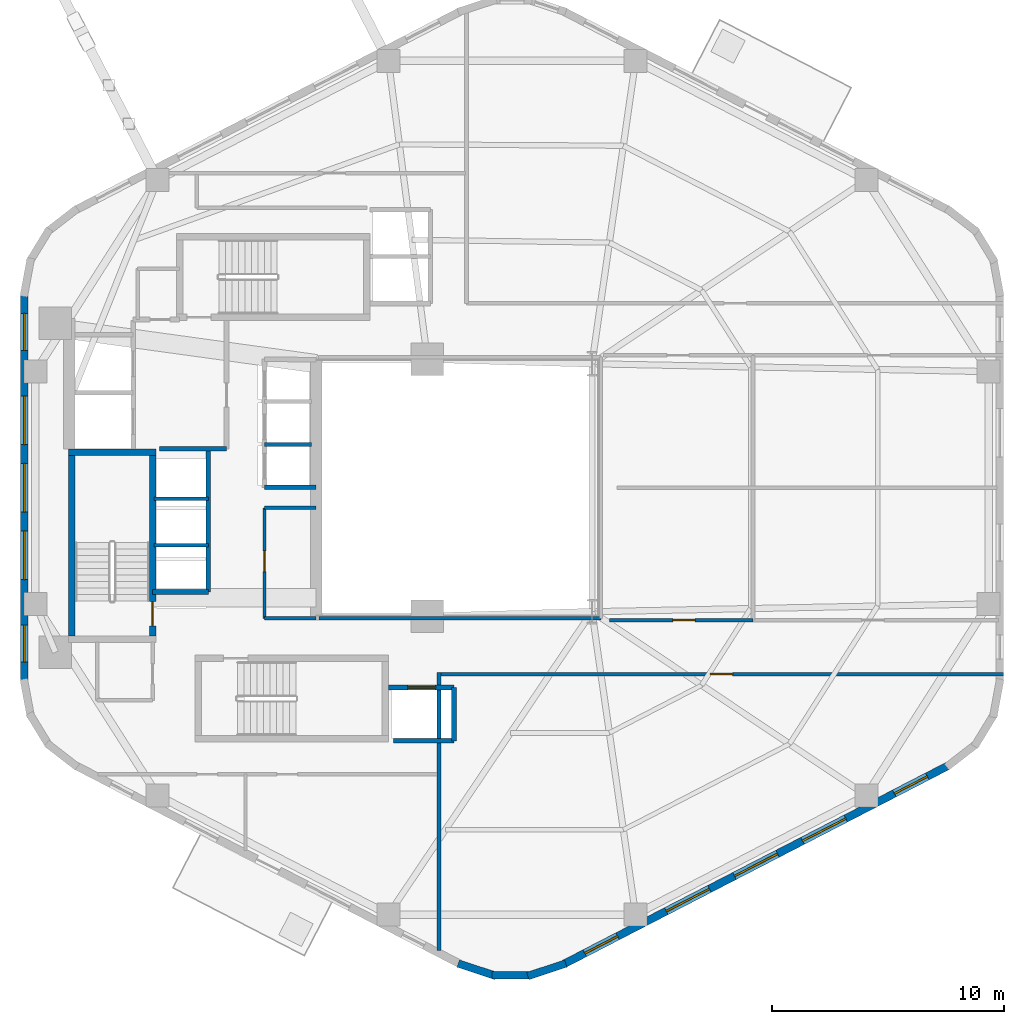
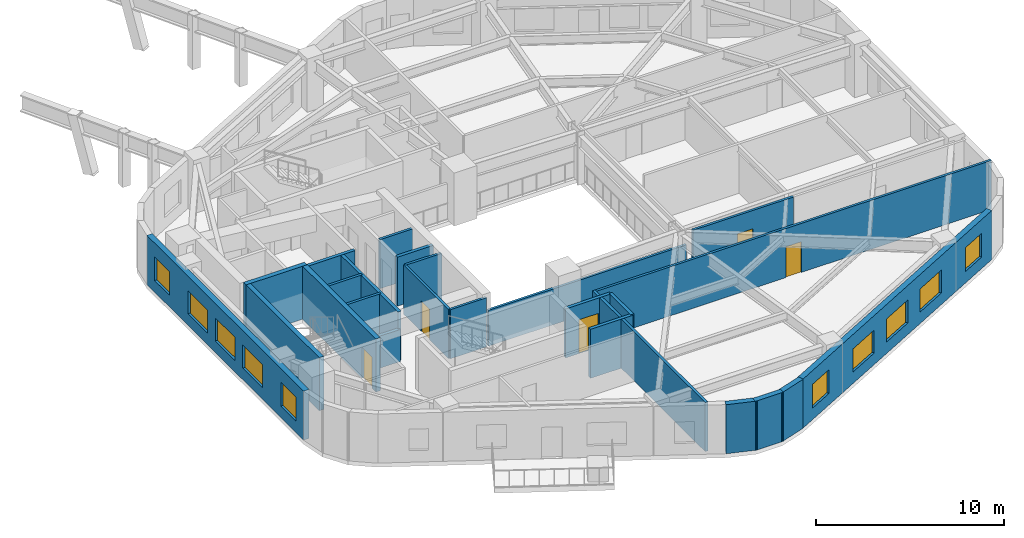
# One storey, part 3 of 8: 25 walls, 10 windows, 5 doors, 15 openings.
"""IFC4 building model written with IfcOpenShell, lengths in metres."""

from ifc_helpers import new_model, si_unit, direction, frame, frame_2d, origin, place, context, subcontext, project, spatial, rectangle, extrude, material, layer, layer_set, type_object, element, fill, save


model = new_model("IFC4")

# Units and contexts
model_context = context("Model", 3, precision=1e-05, world=origin(), true_north=direction((0.0, 1.0)))
body_context = subcontext(model_context, "Body", "Model", "MODEL_VIEW")
ifc_project = project(units=[si_unit("LENGTHUNIT", "METRE"), si_unit("AREAUNIT", "SQUARE_METRE"), si_unit("VOLUMEUNIT", "CUBIC_METRE"), si_unit("PLANEANGLEUNIT", "RADIAN"), si_unit("MASSUNIT", "GRAM", prefix="KILO"), si_unit("THERMODYNAMICTEMPERATUREUNIT", "KELVIN"), si_unit("POWERUNIT", "WATT")], contexts=[model_context])

# Site, building, storey
site_placement = place(None, origin())
site = spatial("IfcSite", under=ifc_project, at=site_placement, CompositionType="ELEMENT")
building_placement = place(site_placement, origin())
building = spatial("IfcBuilding", under=site, at=building_placement, Name="Skarre Station Tower", CompositionType="ELEMENT")
storey_placement = place(building_placement, frame((0.0, 0.0, 132.60009765625)))
storey = spatial("IfcBuildingStorey", under=building, at=storey_placement, Name="L35", CompositionType="ELEMENT", Elevation=132.60009765625)

# Wall, opening, door
ifc_material_1 = material(Name="Acoustic Steel-Stud Gypsum Partition", Category="steel")
ifc_layer_1 = layer(ifc_material_1, 0.14990234375, Name="Acoustic Steel-Stud Gypsum Partition")
ifc_layer_set_1 = layer_set([ifc_layer_1], Name="Acoustic Steel-Stud Gypsum Partition")
wall_type_1 = type_object("IfcWallType", Name="Fire-Rated Corridor Acoustic Partition 150", PredefinedType="PARTITIONING", material=ifc_layer_set_1)
wall_1_placement = place(storey_placement, frame((25.320068359375, 23.1298828125, 0.0), z_axis=(0.0, 0.0, 1.0), x_axis=(0.0, -1.0, 0.0)))
wall_1 = element("IfcWall", 1, at=wall_1_placement, inside=storey, type_object=wall_type_1, Name="L35 Interior Partition WL-PT-L35-RC1-W1", PredefinedType="PARTITIONING", context=body_context, shape_type="SweptSolid", body=[
    extrude(rectangle(XDim=4.769775390625, YDim=0.14990234375, at=frame_2d((2.384765625, 0.0))), origin(), (0.0, 0.0, 1.0), 3.18994140625),
])
opening_1_placement = place(wall_1_placement, frame((1.85009765625, 0.0, 0.0)))
opening_1 = element("IfcOpeningElement", 2, at=opening_1_placement, cuts=wall_1, Name="Opening DR-SVC90", PredefinedType="OPENING", context=body_context, shape_type="SweptSolid", body=[
    extrude(rectangle(XDim=0.89990234375, YDim=2.0, at=frame_2d((0.449951171875, 1.0))), frame((0.0, 0.0849609375, 0.0), z_axis=(0.0, -1.0, 0.0), x_axis=(1.0, 0.0, 0.0)), (0.0, 0.0, 1.0), 0.169921875),
])
ifc_material_2 = material(Name="Powder-Coated Hollow-Metal Acoustic Fire Leaf", Category="steel")
door_type_1 = type_object("IfcDoorType", Name="Service & Riser Fire Door FD60 900x2100", OperationType="SINGLE_SWING_LEFT", PredefinedType="DOOR", material=ifc_material_2)
door_1_placement = place(opening_1_placement, origin())
door_1 = element("IfcDoor", 3, at=door_1_placement, inside=storey, type_object=door_type_1, Name="L35 Core IT Room Door", OperationType="SINGLE_SWING_LEFT", OverallHeight=2.0, OverallWidth=0.89990234375, PredefinedType="DOOR", context=body_context, shape_type="SweptSolid", body=[
    extrude(rectangle(XDim=0.89990234375, YDim=2.0, at=frame_2d((0.449951171875, 1.0))), frame((0.0, 0.02490234375, 0.0), z_axis=(0.0, -1.0, 0.0), x_axis=(1.0, 0.0, 0.0)), (0.0, 0.0, 1.0), 0.050048828125),
])
fill(opening_1, door_1)

# Walls
for number, where, z_axis, x_axis, name in (
    (4, (25.320068359375, 23.1298828125, 0.0), (0.0, 0.0, 1.0), (1.0, 0.0, 0.0), "L35 Interior Partition WL-PT-L35-RC1-N3"),
    (5, (25.320068359375, 18.360107421875, 0.0), (0.0, 0.0, 1.0), (1.0, 0.0, 0.0), "L35 Interior Partition WL-PT-L35-RC1-S"),
):
    element("IfcWall", number, at=place(storey_placement, frame(where, z_axis=z_axis, x_axis=x_axis)), inside=storey, type_object=wall_type_1, Name=name, PredefinedType="PARTITIONING", context=body_context, shape_type="SweptSolid", body=[
        extrude(rectangle(XDim=2.22998046875, YDim=0.14990234375, at=frame_2d((1.114990234375, 0.0))), origin(), (0.0, 0.0, 1.0), 3.18994140625),
    ])
wall_2_placement = place(storey_placement, frame((27.675048828125, 18.360107421875, 0.0), z_axis=(0.0, 0.0, 1.0), x_axis=(1.0, 0.0, 0.0)))
element("IfcWall", 6, at=wall_2_placement, inside=storey, type_object=wall_type_1, Name="L35 Interior Partition WL-PT-L35-ATRW-S", PredefinedType="PARTITIONING", context=body_context, shape_type="SweptSolid", body=[
    extrude(rectangle(XDim=12.1650390625, YDim=0.14990234375, at=frame_2d((6.08251953125, 0.0))), origin(), (0.0, 0.0, 1.0), 2.330810546875),
])

# Wall, opening, door
wall_3_placement = place(storey_placement, frame((46.39306640625, 18.2900390625, 0.0), z_axis=(0.0, 0.0, 1.0), x_axis=(-1.0, 0.0, 0.0)))
wall_3 = element("IfcWall", 7, at=wall_3_placement, inside=storey, type_object=wall_type_1, Name="L35 Interior Partition WL-PT-L35-EWS1-CW", PredefinedType="PARTITIONING", context=body_context, shape_type="SweptSolid", body=[
    extrude(rectangle(XDim=6.193115234375, YDim=0.14990234375, at=frame_2d((3.0966796875, 0.0))), origin(), (0.0, 0.0, 1.0), 3.18994140625),
])
opening_2_placement = place(wall_3_placement, frame((2.49609375, 0.0, 0.0)))
opening_2 = element("IfcOpeningElement", 8, at=opening_2_placement, cuts=wall_3, Name="Opening DR-FD60", PredefinedType="OPENING", context=body_context, shape_type="SweptSolid", body=[
    extrude(rectangle(XDim=0.9599609375, YDim=2.0, at=frame_2d((0.47998046875, 1.0))), frame((0.0, 0.0849609375, 0.0), z_axis=(0.0, -1.0, 0.0), x_axis=(1.0, 0.0, 0.0)), (0.0, 0.0, 1.0), 0.169921875),
])
ifc_material_3 = material(Name="Nordic White-Oak Veneer Solid-Core Fire Leaf", Category="wood")
door_type_2 = type_object("IfcDoorType", Name="Corridor Suite Entry Fire Door FD60 960x2150", OperationType="SINGLE_SWING_LEFT", PredefinedType="DOOR", material=ifc_material_3)
door_2_placement = place(opening_2_placement, origin())
door_2 = element("IfcDoor", 9, at=door_2_placement, inside=storey, type_object=door_type_2, Name="L35 EWS1 Entry Door", OperationType="SINGLE_SWING_LEFT", OverallHeight=2.0, OverallWidth=0.9599609375, PredefinedType="DOOR", context=body_context, shape_type="SweptSolid", body=[
    extrude(rectangle(XDim=0.9599609375, YDim=2.0, at=frame_2d((0.47998046875, 1.0))), frame((0.0, 0.02490234375, 0.0), z_axis=(0.0, -1.0, 0.0), x_axis=(1.0, 0.0, 0.0)), (0.0, 0.0, 1.0), 0.050048828125),
])
fill(opening_2, door_2)

wall_4_placement = place(storey_placement, frame((32.85009765625, 15.9599609375, 0.0), z_axis=(0.0, 0.0, 1.0), x_axis=(1.0, 0.0, 0.0)))
wall_4 = element("IfcWall", 10, at=wall_4_placement, inside=storey, type_object=wall_type_1, Name="L35 Interior Partition WL-PT-L35-SW1-CW", PredefinedType="PARTITIONING", context=body_context, shape_type="SweptSolid", body=[
    extrude(rectangle(XDim=24.35791015625, YDim=0.14990234375, at=frame_2d((12.178955078125, 0.0))), origin(), (0.0, 0.0, 1.0), 3.18994140625),
])
opening_3_placement = place(wall_4_placement, frame((11.712890625, 0.0, 0.0)))
opening_3 = element("IfcOpeningElement", 11, at=opening_3_placement, cuts=wall_4, Name="Opening DR-FD60", PredefinedType="OPENING", context=body_context, shape_type="SweptSolid", body=[
    extrude(rectangle(XDim=0.9599609375, YDim=2.0, at=frame_2d((0.47998046875, 1.0))), frame((0.0, 0.0849609375, 0.0), z_axis=(0.0, -1.0, 0.0), x_axis=(1.0, 0.0, 0.0)), (0.0, 0.0, 1.0), 0.169921875),
])
door_3_placement = place(opening_3_placement, origin())
door_3 = element("IfcDoor", 12, at=door_3_placement, inside=storey, type_object=door_type_2, Name="L35 SW1 Entry Door", OperationType="SINGLE_SWING_LEFT", OverallHeight=2.0, OverallWidth=0.9599609375, PredefinedType="DOOR", context=body_context, shape_type="SweptSolid", body=[
    extrude(rectangle(XDim=0.9599609375, YDim=2.0, at=frame_2d((0.47998046875, 1.0))), frame((0.0, 0.02490234375, 0.0), z_axis=(0.0, -1.0, 0.0), x_axis=(1.0, 0.0, 0.0)), (0.0, 0.0, 1.0), 0.050048828125),
])
fill(opening_3, door_3)

# Wall, openings, windows
ifc_material_4 = material(Name="Precast concrete C45/55", Category="concrete")
ifc_layer_2 = layer(ifc_material_4, 0.340087890625, Name="Precast concrete C45/55")
ifc_layer_set_2 = layer_set([ifc_layer_2], Name="Precast concrete C45/55")
wall_type_2 = type_object("IfcWallType", Name="Nordic Honed Precast Facet Wall 340", PredefinedType="STANDARD", material=ifc_layer_set_2)
wall_5_placement = place(storey_placement, frame((14.951904296875, 15.64794921875, 0.0), z_axis=(0.0, 0.0, 1.0), x_axis=(0.0, 1.0, 0.0)))
wall_5 = element("IfcWall", 13, at=wall_5_placement, inside=storey, type_object=wall_type_2, Name="L35 Facet 2 Nordic Precast Masonry Wall", PredefinedType="STANDARD", context=body_context, shape_type="SweptSolid", body=[
    extrude(rectangle(XDim=16.7041015625, YDim=0.340087890625, at=frame_2d((8.35205078125, 0.0))), origin(), (0.0, 0.0, 1.0), 3.18994140625),
])
opening_4_placement = place(wall_5_placement, frame((0.825927734375, 0.0, 0.75)))
opening_4 = element("IfcOpeningElement", 14, at=opening_4_placement, cuts=wall_5, Name="Opening WN-Z2A", PredefinedType="OPENING", context=body_context, shape_type="SweptSolid", body=[
    extrude(rectangle(XDim=1.60009765625, YDim=1.550048828125, at=frame_2d((0.800048828125, 0.77490234375))), frame((0.0, 0.179931640625, 0.0), z_axis=(0.0, -1.0, 0.0), x_axis=(1.0, 0.0, 0.0)), (0.0, 0.0, 1.0), 0.360107421875),
])
opening_5_placement = place(wall_5_placement, frame((4.387939453125, 0.0, 0.75)))
opening_5 = element("IfcOpeningElement", 15, at=opening_5_placement, cuts=wall_5, Name="Opening WN-Z2B", PredefinedType="OPENING", context=body_context, shape_type="SweptSolid", body=[
    extrude(rectangle(XDim=2.10009765625, YDim=1.5, at=frame_2d((1.050048828125, 0.75))), frame((0.0, 0.179931640625, 0.0), z_axis=(0.0, -1.0, 0.0), x_axis=(1.0, 0.0, 0.0)), (0.0, 0.0, 1.0), 0.360107421875),
])
opening_6_placement = place(wall_5_placement, frame((7.302001953125, 0.0, 0.75)))
opening_6 = element("IfcOpeningElement", 16, at=opening_6_placement, cuts=wall_5, Name="Opening WN-Z2B", PredefinedType="OPENING", context=body_context, shape_type="SweptSolid", body=[
    extrude(rectangle(XDim=2.10009765625, YDim=1.5, at=frame_2d((1.050048828125, 0.75))), frame((0.0, 0.179931640625, 0.0), z_axis=(0.0, -1.0, 0.0), x_axis=(1.0, 0.0, 0.0)), (0.0, 0.0, 1.0), 0.360107421875),
])
opening_7_placement = place(wall_5_placement, frame((10.216064453125, 0.0, 0.75)))
opening_7 = element("IfcOpeningElement", 17, at=opening_7_placement, cuts=wall_5, Name="Opening WN-Z2B", PredefinedType="OPENING", context=body_context, shape_type="SweptSolid", body=[
    extrude(rectangle(XDim=2.10009765625, YDim=1.5, at=frame_2d((1.050048828125, 0.75))), frame((0.0, 0.179931640625, 0.0), z_axis=(0.0, -1.0, 0.0), x_axis=(1.0, 0.0, 0.0)), (0.0, 0.0, 1.0), 0.360107421875),
])
opening_8_placement = place(wall_5_placement, frame((14.278076171875, 0.0, 0.75)))
opening_8 = element("IfcOpeningElement", 18, at=opening_8_placement, cuts=wall_5, Name="Opening WN-Z2A", PredefinedType="OPENING", context=body_context, shape_type="SweptSolid", body=[
    extrude(rectangle(XDim=1.60009765625, YDim=1.550048828125, at=frame_2d((0.800048828125, 0.77490234375))), frame((0.0, 0.179931640625, 0.0), z_axis=(0.0, -1.0, 0.0), x_axis=(1.0, 0.0, 0.0)), (0.0, 0.0, 1.0), 0.360107421875),
])
ifc_material_5 = material(Name="Low-Iron Triple Glazing with Bronze Anodized Frame", Category="glass")
window_type_1 = type_object("IfcWindowType", Name="Nordic Residential Tall Window 1600x1550", PartitioningType="SINGLE_PANEL", PredefinedType="WINDOW", material=ifc_material_5)
window_1_placement = place(opening_4_placement, origin())
window_1 = element("IfcWindow", 19, at=window_1_placement, inside=storey, type_object=window_type_1, Name="L35 Facade Window WL-FAC-L35-F2-1", OverallHeight=1.550048828125, OverallWidth=1.60009765625, PartitioningType="SINGLE_PANEL", PredefinedType="WINDOW", context=body_context, shape_type="SweptSolid", body=[
    extrude(rectangle(XDim=1.60009765625, YDim=1.550048828125, at=frame_2d((0.800048828125, 0.77490234375))), frame((0.0, 0.030029296875, 0.0), z_axis=(0.0, -1.0, 0.0), x_axis=(1.0, 0.0, 0.0)), (0.0, 0.0, 1.0), 0.06005859375),
])
fill(opening_4, window_1)
window_2_placement = place(opening_8_placement, origin())
window_2 = element("IfcWindow", 20, at=window_2_placement, inside=storey, type_object=window_type_1, Name="L35 Facade Window WL-FAC-L35-F2-5", OverallHeight=1.550048828125, OverallWidth=1.60009765625, PartitioningType="SINGLE_PANEL", PredefinedType="WINDOW", context=body_context, shape_type="SweptSolid", body=[
    extrude(rectangle(XDim=1.60009765625, YDim=1.550048828125, at=frame_2d((0.800048828125, 0.77490234375))), frame((0.0, 0.030029296875, 0.0), z_axis=(0.0, -1.0, 0.0), x_axis=(1.0, 0.0, 0.0)), (0.0, 0.0, 1.0), 0.06005859375),
])
fill(opening_8, window_2)
window_type_2 = type_object("IfcWindowType", Name="Nordic Residential Twin Window 2100x1500", PartitioningType="SINGLE_PANEL", PredefinedType="WINDOW", material=ifc_material_5)
window_3_placement = place(opening_5_placement, origin())
window_3 = element("IfcWindow", 21, at=window_3_placement, inside=storey, type_object=window_type_2, Name="L35 Facade Window WL-FAC-L35-F2-2", OverallHeight=1.5, OverallWidth=2.10009765625, PartitioningType="SINGLE_PANEL", PredefinedType="WINDOW", context=body_context, shape_type="SweptSolid", body=[
    extrude(rectangle(XDim=2.10009765625, YDim=1.5, at=frame_2d((1.050048828125, 0.75))), frame((0.0, 0.030029296875, 0.0), z_axis=(0.0, -1.0, 0.0), x_axis=(1.0, 0.0, 0.0)), (0.0, 0.0, 1.0), 0.06005859375),
])
fill(opening_5, window_3)
window_4_placement = place(opening_6_placement, origin())
window_4 = element("IfcWindow", 22, at=window_4_placement, inside=storey, type_object=window_type_2, Name="L35 Facade Window WL-FAC-L35-F2-3", OverallHeight=1.5, OverallWidth=2.10009765625, PartitioningType="SINGLE_PANEL", PredefinedType="WINDOW", context=body_context, shape_type="SweptSolid", body=[
    extrude(rectangle(XDim=2.10009765625, YDim=1.5, at=frame_2d((1.050048828125, 0.75))), frame((0.0, 0.030029296875, 0.0), z_axis=(0.0, -1.0, 0.0), x_axis=(1.0, 0.0, 0.0)), (0.0, 0.0, 1.0), 0.06005859375),
])
fill(opening_6, window_4)
window_5_placement = place(opening_7_placement, origin())
window_5 = element("IfcWindow", 23, at=window_5_placement, inside=storey, type_object=window_type_2, Name="L35 Facade Window WL-FAC-L35-F2-4", OverallHeight=1.5, OverallWidth=2.10009765625, PartitioningType="SINGLE_PANEL", PredefinedType="WINDOW", context=body_context, shape_type="SweptSolid", body=[
    extrude(rectangle(XDim=2.10009765625, YDim=1.5, at=frame_2d((1.050048828125, 0.75))), frame((0.0, 0.030029296875, 0.0), z_axis=(0.0, -1.0, 0.0), x_axis=(1.0, 0.0, 0.0)), (0.0, 0.0, 1.0), 0.06005859375),
])
fill(opening_7, window_5)

wall_6_placement = place(storey_placement, frame((54.8310546875, 12.010009765625, 0.0), z_axis=(0.0, 0.0, 1.0), x_axis=(-0.888613612362, -0.458656568606, 0.0)))
wall_6 = element("IfcWall", 24, at=wall_6_placement, inside=storey, type_object=wall_type_2, Name="L35 Facet 4 Nordic Precast Masonry Wall", PredefinedType="STANDARD", context=body_context, shape_type="SweptSolid", body=[
    extrude(rectangle(XDim=18.680908203125, YDim=0.340087890625, at=frame_2d((9.34033203125, 0.0))), origin(), (0.0, 0.0, 1.0), 3.18994140625),
])
opening_9_placement = place(wall_6_placement, frame((1.02294921875, 0.0, 0.75)))
opening_9 = element("IfcOpeningElement", 25, at=opening_9_placement, cuts=wall_6, Name="Opening WN-Z2A", PredefinedType="OPENING", context=body_context, shape_type="SweptSolid", body=[
    extrude(rectangle(XDim=1.60009765625, YDim=1.550048828125, at=frame_2d((0.800048828125, 0.77490234375))), frame((0.0, 0.179931640625, 0.0), z_axis=(0.0, -1.0, 0.0), x_axis=(1.0, 0.0, 0.0)), (0.0, 0.0, 1.0), 0.360107421875),
])
opening_10_placement = place(wall_6_placement, frame((4.98095703125, 0.0, 0.75)))
opening_10 = element("IfcOpeningElement", 26, at=opening_10_placement, cuts=wall_6, Name="Opening WN-Z2B", PredefinedType="OPENING", context=body_context, shape_type="SweptSolid", body=[
    extrude(rectangle(XDim=2.10009765625, YDim=1.5, at=frame_2d((1.050048828125, 0.75))), frame((0.0, 0.179931640625, 0.0), z_axis=(0.0, -1.0, 0.0), x_axis=(1.0, 0.0, 0.0)), (0.0, 0.0, 1.0), 0.360107421875),
])
opening_11_placement = place(wall_6_placement, frame((8.2900390625, 0.0, 0.75)))
opening_11 = element("IfcOpeningElement", 27, at=opening_11_placement, cuts=wall_6, Name="Opening WN-Z2B", PredefinedType="OPENING", context=body_context, shape_type="SweptSolid", body=[
    extrude(rectangle(XDim=2.10009765625, YDim=1.5, at=frame_2d((1.050048828125, 0.75))), frame((0.0, 0.179931640625, 0.0), z_axis=(0.0, -1.0, 0.0), x_axis=(1.0, 0.0, 0.0)), (0.0, 0.0, 1.0), 0.360107421875),
])
opening_12_placement = place(wall_6_placement, frame((11.60009765625, 0.0, 0.75)))
opening_12 = element("IfcOpeningElement", 28, at=opening_12_placement, cuts=wall_6, Name="Opening WN-Z2B", PredefinedType="OPENING", context=body_context, shape_type="SweptSolid", body=[
    extrude(rectangle(XDim=2.10009765625, YDim=1.5, at=frame_2d((1.050048828125, 0.75))), frame((0.0, 0.179931640625, 0.0), z_axis=(0.0, -1.0, 0.0), x_axis=(1.0, 0.0, 0.0)), (0.0, 0.0, 1.0), 0.360107421875),
])
opening_13_placement = place(wall_6_placement, frame((16.05810546875, 0.0, 0.75)))
opening_13 = element("IfcOpeningElement", 29, at=opening_13_placement, cuts=wall_6, Name="Opening WN-Z2A", PredefinedType="OPENING", context=body_context, shape_type="SweptSolid", body=[
    extrude(rectangle(XDim=1.60009765625, YDim=1.550048828125, at=frame_2d((0.800048828125, 0.77490234375))), frame((0.0, 0.179931640625, 0.0), z_axis=(0.0, -1.0, 0.0), x_axis=(1.0, 0.0, 0.0)), (0.0, 0.0, 1.0), 0.360107421875),
])
window_6_placement = place(opening_9_placement, origin())
window_6 = element("IfcWindow", 30, at=window_6_placement, inside=storey, type_object=window_type_1, Name="L35 Facade Window WL-FAC-L35-F4-1", OverallHeight=1.550048828125, OverallWidth=1.60009765625, PartitioningType="SINGLE_PANEL", PredefinedType="WINDOW", context=body_context, shape_type="SweptSolid", body=[
    extrude(rectangle(XDim=1.60009765625, YDim=1.550048828125, at=frame_2d((0.800048828125, 0.77490234375))), frame((0.0, 0.030029296875, 0.0), z_axis=(0.0, -1.0, 0.0), x_axis=(1.0, 0.0, 0.0)), (0.0, 0.0, 1.0), 0.06005859375),
])
fill(opening_9, window_6)
window_7_placement = place(opening_13_placement, origin())
window_7 = element("IfcWindow", 31, at=window_7_placement, inside=storey, type_object=window_type_1, Name="L35 Facade Window WL-FAC-L35-F4-5", OverallHeight=1.550048828125, OverallWidth=1.60009765625, PartitioningType="SINGLE_PANEL", PredefinedType="WINDOW", context=body_context, shape_type="SweptSolid", body=[
    extrude(rectangle(XDim=1.60009765625, YDim=1.550048828125, at=frame_2d((0.800048828125, 0.77490234375))), frame((0.0, 0.030029296875, 0.0), z_axis=(0.0, -1.0, 0.0), x_axis=(1.0, 0.0, 0.0)), (0.0, 0.0, 1.0), 0.06005859375),
])
fill(opening_13, window_7)
window_8_placement = place(opening_10_placement, origin())
window_8 = element("IfcWindow", 32, at=window_8_placement, inside=storey, type_object=window_type_2, Name="L35 Facade Window WL-FAC-L35-F4-2", OverallHeight=1.5, OverallWidth=2.10009765625, PartitioningType="SINGLE_PANEL", PredefinedType="WINDOW", context=body_context, shape_type="SweptSolid", body=[
    extrude(rectangle(XDim=2.10009765625, YDim=1.5, at=frame_2d((1.050048828125, 0.75))), frame((0.0, 0.030029296875, 0.0), z_axis=(0.0, -1.0, 0.0), x_axis=(1.0, 0.0, 0.0)), (0.0, 0.0, 1.0), 0.06005859375),
])
fill(opening_10, window_8)
window_9_placement = place(opening_11_placement, origin())
window_9 = element("IfcWindow", 33, at=window_9_placement, inside=storey, type_object=window_type_2, Name="L35 Facade Window WL-FAC-L35-F4-3", OverallHeight=1.5, OverallWidth=2.10009765625, PartitioningType="SINGLE_PANEL", PredefinedType="WINDOW", context=body_context, shape_type="SweptSolid", body=[
    extrude(rectangle(XDim=2.10009765625, YDim=1.5, at=frame_2d((1.050048828125, 0.75))), frame((0.0, 0.030029296875, 0.0), z_axis=(0.0, -1.0, 0.0), x_axis=(1.0, 0.0, 0.0)), (0.0, 0.0, 1.0), 0.06005859375),
])
fill(opening_11, window_9)
window_10_placement = place(opening_12_placement, origin())
window_10 = element("IfcWindow", 34, at=window_10_placement, inside=storey, type_object=window_type_2, Name="L35 Facade Window WL-FAC-L35-F4-4", OverallHeight=1.5, OverallWidth=2.10009765625, PartitioningType="SINGLE_PANEL", PredefinedType="WINDOW", context=body_context, shape_type="SweptSolid", body=[
    extrude(rectangle(XDim=2.10009765625, YDim=1.5, at=frame_2d((1.050048828125, 0.75))), frame((0.0, 0.030029296875, 0.0), z_axis=(0.0, -1.0, 0.0), x_axis=(1.0, 0.0, 0.0)), (0.0, 0.0, 1.0), 0.06005859375),
])
fill(opening_12, window_10)

# Walls
ifc_layer_3 = layer(ifc_material_4, 0.330078125, Name="Precast concrete C45/55")
ifc_layer_set_3 = layer_set([ifc_layer_3], Name="Precast concrete C45/55")
wall_type_3 = type_object("IfcWallType", Name="Nordic Rounded Corner Precast Wall 330", PredefinedType="STANDARD", material=ifc_layer_set_3)
for number, where, z_axis, x_axis, name in (
    (35, (38.319091796875, 3.468017578125, 0.0), (0.0, 0.0, 1.0), (-0.949937416267, -0.312440242569, 0.0), "L35 Rounded Corner Precast Wall F4-1"),
    (36, (36.861083984375, 2.958984375, 0.0), (0.0, 0.0, 1.0), (-1.0, 0.0, 0.0), "L35 Rounded Corner Precast Wall F4-2"),
    (37, (35.31689453125, 2.929931640625, 0.0), (0.0, 0.0, 1.0), (-0.949937416267, 0.312440242569, 0.0), "L35 Rounded Corner Precast Wall F4-3"),
):
    element("IfcWall", number, at=place(storey_placement, frame(where, z_axis=z_axis, x_axis=x_axis)), inside=storey, type_object=wall_type_3, Name=name, PredefinedType="STANDARD", context=body_context, shape_type="SweptSolid", body=[
        extrude(rectangle(XDim=1.72216796875, YDim=0.330078125, at=frame_2d((0.861083984375, 0.0))), origin(), (0.0, 0.0, 1.0), 3.18994140625),
    ])
ifc_material_6 = material(Name="Concrete C50/60", Category="concrete")
ifc_layer_4 = layer(ifc_material_6, 0.280029296875, Name="Concrete C50/60")
ifc_layer_set_4 = layer_set([ifc_layer_4], Name="Concrete C50/60")
wall_type_4 = type_object("IfcWallType", Name="RC Core Shear Wall 280", PredefinedType="SHEAR", material=ifc_layer_set_4)
wall_7_placement = place(storey_placement, frame((20.6298828125, 25.5400390625, 0.0), z_axis=(0.0, 0.0, 1.0), x_axis=(-1.0, 0.0, 0.0)))
element("IfcWall", 38, at=wall_7_placement, inside=storey, type_object=wall_type_4, Name="L35 Stair ST-1 North Shear Wall", PredefinedType="SHEAR", context=body_context, shape_type="SweptSolid", body=[
    extrude(rectangle(XDim=3.759765625, YDim=0.280029296875, at=frame_2d((1.8798828125, 0.0))), origin(), (0.0, 0.0, 1.0), 3.449951171875),
])
wall_8_placement = place(storey_placement, frame((17.010009765625, 25.39990234375, 0.0), z_axis=(0.0, 0.0, 1.0), x_axis=(0.0, -1.0, 0.0)))
element("IfcWall", 39, at=wall_8_placement, inside=storey, type_object=wall_type_4, Name="L35 Stair ST-1 West Shear Wall", PredefinedType="SHEAR", context=body_context, shape_type="SweptSolid", body=[
    extrude(rectangle(XDim=7.7998046875, YDim=0.280029296875, at=frame_2d((3.89990234375, 0.0))), origin(), (0.0, 0.0, 1.0), 3.449951171875),
])

# Wall, opening, door
wall_9_placement = place(storey_placement, frame((20.489990234375, 17.60009765625, 0.0), z_axis=(0.0, 0.0, 1.0), x_axis=(0.0, 1.0, 0.0)))
wall_9 = element("IfcWall", 40, at=wall_9_placement, inside=storey, type_object=wall_type_4, Name="L35 Stair ST-1 East Shear Wall", PredefinedType="SHEAR", context=body_context, shape_type="SweptSolid", body=[
    extrude(rectangle(XDim=7.7998046875, YDim=0.280029296875, at=frame_2d((3.89990234375, 0.0))), origin(), (0.0, 0.0, 1.0), 3.449951171875),
])
opening_14_placement = place(wall_9_placement, frame((0.43994140625, 0.0, 0.0)))
opening_14 = element("IfcOpeningElement", 41, at=opening_14_placement, cuts=wall_9, Name="Opening DR-FD90", PredefinedType="OPENING", context=body_context, shape_type="SweptSolid", body=[
    extrude(rectangle(XDim=1.050048828125, YDim=2.0, at=frame_2d((0.52490234375, 1.0))), frame((0.0, 0.14990234375, 0.0), z_axis=(0.0, -1.0, 0.0), x_axis=(1.0, 0.0, 0.0)), (0.0, 0.0, 1.0), 0.300048828125),
])
ifc_material_7 = material(Name="Fire-Rated Insulated Steel Frame & Timber Core Leaf", Category="steel")
door_type_3 = type_object("IfcDoorType", Name="Stair & FSAE Lobby Fire Door FD90 1050x2150", OperationType="SINGLE_SWING_RIGHT", PredefinedType="DOOR", material=ifc_material_7)
door_4_placement = place(opening_14_placement, origin())
door_4 = element("IfcDoor", 42, at=door_4_placement, inside=storey, type_object=door_type_3, Name="L35 Stair ST-1 Exit Door", OperationType="SINGLE_SWING_RIGHT", OverallHeight=2.0, OverallWidth=1.050048828125, PredefinedType="DOOR", context=body_context, shape_type="SweptSolid", body=[
    extrude(rectangle(XDim=1.050048828125, YDim=2.0, at=frame_2d((0.52490234375, 1.0))), frame((0.0, 0.02490234375, 0.0), z_axis=(0.0, -1.0, 0.0), x_axis=(1.0, 0.0, 0.0)), (0.0, 0.0, 1.0), 0.050048828125),
])
fill(opening_14, door_4)

# Wall
ifc_material_8 = material(Name="Gypsum Concrete Shaft Assembly C30/37", Category="concrete")
ifc_layer_5 = layer(ifc_material_8, 0.199951171875, Name="Gypsum Concrete Shaft Assembly C30/37")
ifc_layer_set_5 = layer_set([ifc_layer_5], Name="Gypsum Concrete Shaft Assembly C30/37")
wall_type_5 = type_object("IfcWallType", Name="Shaft & Core Fire Partition 200", PredefinedType="PARTITIONING", material=ifc_layer_set_5)
wall_10_placement = place(storey_placement, frame((20.79296875, 25.679931640625, 0.0), z_axis=(0.0, 0.0, 1.0), x_axis=(1.0, 0.0, 0.0)))
element("IfcWall", 43, at=wall_10_placement, inside=storey, type_object=wall_type_5, Name="L35 Interior Partition WL-PT-L35-FSAE-S", PredefinedType="PARTITIONING", context=body_context, shape_type="SweptSolid", body=[
    extrude(rectangle(XDim=2.886962890625, YDim=0.199951171875, at=frame_2d((1.443359375, 0.0))), origin(), (0.0, 0.0, 1.0), 3.18994140625),
])

# Wall, opening, door
wall_11_placement = place(storey_placement, frame((33.5, 15.3798828125, 0.0), z_axis=(0.0, 0.0, 1.0), x_axis=(-1.0, 0.0, 0.0)))
wall_11 = element("IfcWall", 44, at=wall_11_placement, inside=storey, type_object=wall_type_5, Name="L35 Interior Partition WL-PT-L35-SV1-N", PredefinedType="PARTITIONING", context=body_context, shape_type="SweptSolid", body=[
    extrude(rectangle(XDim=2.820068359375, YDim=0.199951171875, at=frame_2d((1.41015625, 0.0))), origin(), (0.0, 0.0, 1.0), 3.18994140625),
])
opening_15_placement = place(wall_11_placement, frame((0.800048828125, 0.0, 0.0)))
opening_15 = element("IfcOpeningElement", 45, at=opening_15_placement, cuts=wall_11, Name="Opening LD-SV1", PredefinedType="OPENING", context=body_context, shape_type="SweptSolid", body=[
    extrude(rectangle(XDim=1.199951171875, YDim=2.199951171875, at=frame_2d((0.60009765625, 1.10009765625))), frame((0.0, 0.10986328125, 0.0), z_axis=(0.0, -1.0, 0.0), x_axis=(1.0, 0.0, 0.0)), (0.0, 0.0, 1.0), 0.219970703125),
])
ifc_material_9 = material(Name="Heavy-Gauge Brushed Stainless Steel Sliding Leaves", Category="steel")
door_type_4 = type_object("IfcDoorType", Name="Service Elevator Wide Sliding Landing Door 1200x2200", OperationType="SLIDING_TO_RIGHT", PredefinedType="DOOR", material=ifc_material_9)
door_5_placement = place(opening_15_placement, origin())
door_5 = element("IfcDoor", 46, at=door_5_placement, inside=storey, type_object=door_type_4, Name="L35 Service Lift LF-SV1 Landing Door", OperationType="SLIDING_TO_RIGHT", OverallHeight=2.199951171875, OverallWidth=1.199951171875, PredefinedType="DOOR", context=body_context, shape_type="SweptSolid", body=[
    extrude(rectangle(XDim=1.199951171875, YDim=2.199951171875, at=frame_2d((0.60009765625, 1.10009765625))), frame((0.0, 0.02490234375, 0.0), z_axis=(0.0, -1.0, 0.0), x_axis=(1.0, 0.0, 0.0)), (0.0, 0.0, 1.0), 0.050048828125),
])
fill(opening_15, door_5)

# Walls
wall_12_placement = place(storey_placement, frame((33.5, 13.080078125, 0.0), z_axis=(0.0, 0.0, 1.0), x_axis=(0.0, 1.0, 0.0)))
element("IfcWall", 47, at=wall_12_placement, inside=storey, type_object=wall_type_5, Name="L35 Interior Partition WL-PT-L35-SV1-E", PredefinedType="PARTITIONING", context=body_context, shape_type="SweptSolid", body=[
    extrude(rectangle(XDim=2.2998046875, YDim=0.199951171875, at=frame_2d((1.14990234375, 0.0))), origin(), (0.0, 0.0, 1.0), 3.18994140625),
])
wall_13_placement = place(storey_placement, frame((30.87890625, 13.080078125, 0.0), z_axis=(0.0, 0.0, 1.0), x_axis=(1.0, 0.0, 0.0)))
element("IfcWall", 48, at=wall_13_placement, inside=storey, type_object=wall_type_5, Name="L35 Interior Partition WL-PT-L35-SV1-S", PredefinedType="PARTITIONING", context=body_context, shape_type="SweptSolid", body=[
    extrude(rectangle(XDim=2.62109375, YDim=0.199951171875, at=frame_2d((1.310546875, 0.0))), origin(), (0.0, 0.0, 1.0), 3.18994140625),
])
wall_14_placement = place(storey_placement, frame((22.89990234375, 19.5, 0.0), z_axis=(0.0, 0.0, 1.0), x_axis=(0.0, 1.0, 0.0)))
element("IfcWall", 49, at=wall_14_placement, inside=storey, type_object=wall_type_5, Name="L35 Interior Partition WL-PT-L35-B3-E", PredefinedType="PARTITIONING", context=body_context, shape_type="SweptSolid", body=[
    extrude(rectangle(XDim=6.0849609375, YDim=0.199951171875, at=frame_2d((3.04248046875, 0.0))), origin(), (0.0, 0.0, 1.0), 3.18994140625),
])
wall_15_placement = place(storey_placement, frame((20.489990234375, 19.5, 0.0), z_axis=(0.0, 0.0, 1.0), x_axis=(1.0, 0.0, 0.0)))
element("IfcWall", 50, at=wall_15_placement, inside=storey, type_object=wall_type_5, Name="L35 Interior Partition WL-PT-L35-B3-S", PredefinedType="PARTITIONING", context=body_context, shape_type="SweptSolid", body=[
    extrude(rectangle(XDim=2.409912109375, YDim=0.199951171875, at=frame_2d((1.205078125, 0.0))), origin(), (0.0, 0.0, 1.0), 2.08984375),
])
for number, where, z_axis, x_axis, name in (
    (51, (20.550048828125, 21.52001953125, 0.0), (0.0, 0.0, 1.0), (1.0, 0.0, 0.0), "L35 Interior Partition WL-PT-L35-B3-D1"),
    (52, (20.550048828125, 23.52001953125, 0.0), (0.0, 0.0, 1.0), (1.0, 0.0, 0.0), "L35 Interior Partition WL-PT-L35-B3-D2"),
):
    element("IfcWall", number, at=place(storey_placement, frame(where, z_axis=z_axis, x_axis=x_axis)), inside=storey, type_object=wall_type_5, Name=name, PredefinedType="PARTITIONING", context=body_context, shape_type="SweptSolid", body=[
        extrude(rectangle(XDim=2.349853515625, YDim=0.159912109375, at=frame_2d((1.1748046875, 0.0))), origin(), (0.0, 0.0, 1.0), 3.18994140625),
    ])
wall_16_placement = place(storey_placement, frame((25.320068359375, 24.02001953125, 0.0), z_axis=(0.0, 0.0, 1.0), x_axis=(1.0, 0.0, 0.0)))
element("IfcWall", 53, at=wall_16_placement, inside=storey, type_object=wall_type_5, Name="L35 Interior Partition WL-PT-L35-B2-S", PredefinedType="PARTITIONING", context=body_context, shape_type="SweptSolid", body=[
    extrude(rectangle(XDim=2.22998046875, YDim=0.199951171875, at=frame_2d((1.114990234375, 0.0))), origin(), (0.0, 0.0, 1.0), 3.18994140625),
])
wall_17_placement = place(storey_placement, frame((25.320068359375, 25.8701171875, 0.0), z_axis=(0.0, 0.0, 1.0), x_axis=(1.0, 0.0, 0.0)))
element("IfcWall", 54, at=wall_17_placement, inside=storey, type_object=wall_type_5, Name="L35 Interior Partition WL-PT-L35-B2-D258", PredefinedType="PARTITIONING", context=body_context, shape_type="SweptSolid", body=[
    extrude(rectangle(XDim=2.030029296875, YDim=0.159912109375, at=frame_2d((1.01513671875, 0.0))), origin(), (0.0, 0.0, 1.0), 3.18994140625),
])
ifc_layer_6 = layer(ifc_material_1, 0.1650390625, Name="Acoustic Steel-Stud Gypsum Partition")
ifc_layer_set_6 = layer_set([ifc_layer_6], Name="Acoustic Steel-Stud Gypsum Partition")
wall_type_6 = type_object("IfcWallType", Name="Suite Demising Acoustic Partition 165", PredefinedType="PARTITIONING", material=ifc_layer_set_6)
wall_18_placement = place(storey_placement, frame((32.85009765625, 4.0400390625, 0.0), z_axis=(0.0, 0.0, 1.0), x_axis=(0.0, 1.0, 0.0)))
element("IfcWall", 55, at=wall_18_placement, inside=storey, type_object=wall_type_6, Name="L35 Interior Partition WL-PT-L35-SWP-E", PredefinedType="PARTITIONING", context=body_context, shape_type="SweptSolid", body=[
    extrude(rectangle(XDim=11.989990234375, YDim=0.1650390625, at=frame_2d((5.9951171875, 0.0))), origin(), (0.0, 0.0, 1.0), 3.18994140625),
])

save(model, "model.ifc")
